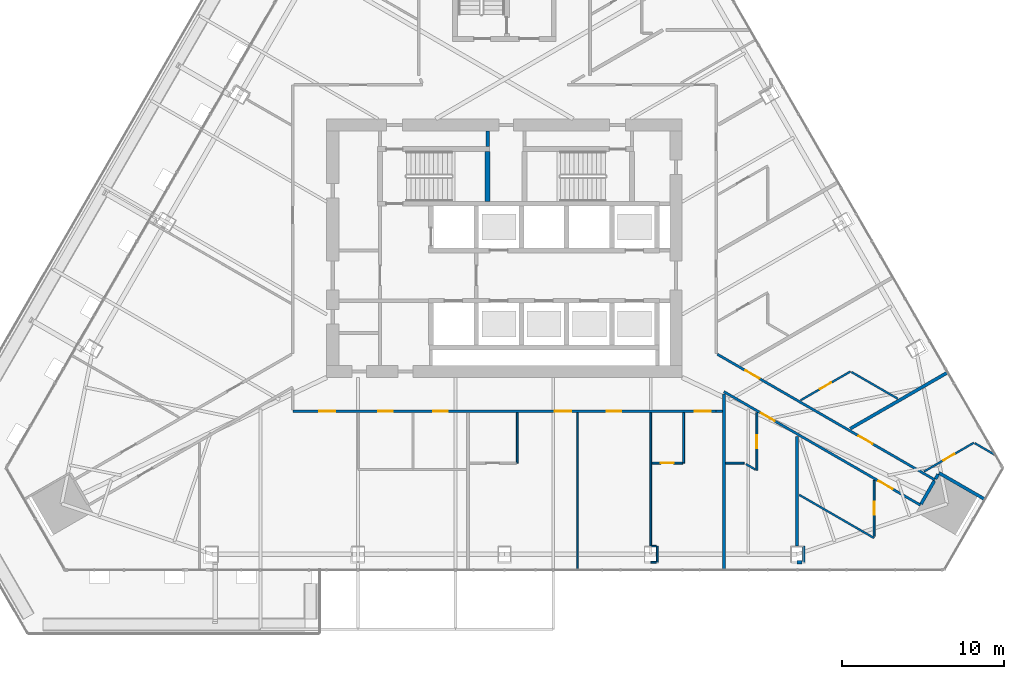
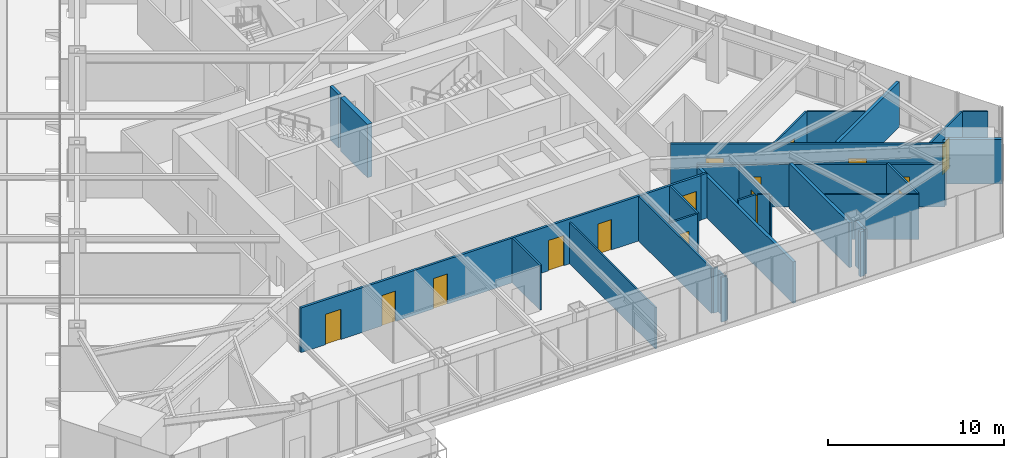
# One storey, part 27 of 35: 31 walls, 15 doors, 15 openings.
"""IFC4 building model written with IfcOpenShell, lengths in metres."""

from ifc_helpers import new_model, si_unit, direction, frame, frame_2d, origin, place, context, subcontext, project, spatial, rectangle, extrude, material, layer, layer_set, type_object, element, fill, save


model = new_model("IFC4")

# Units and contexts
model_context = context("Model", 3, precision=1e-05, world=origin(), true_north=direction((0.0, 1.0)))
body_context = subcontext(model_context, "Body", "Model", "MODEL_VIEW")
ifc_project = project(units=[si_unit("LENGTHUNIT", "METRE"), si_unit("AREAUNIT", "SQUARE_METRE"), si_unit("VOLUMEUNIT", "CUBIC_METRE"), si_unit("PLANEANGLEUNIT", "RADIAN"), si_unit("MASSUNIT", "GRAM", prefix="KILO")], contexts=[model_context])

# Site, building, storey
site_placement = place(None, origin())
site = spatial("IfcSite", under=ifc_project, at=site_placement, CompositionType="ELEMENT")
building_placement = place(site_placement, origin())
building = spatial("IfcBuilding", under=site, at=building_placement, Name="Firuza Gate Tower and Library", CompositionType="ELEMENT")
storey_placement = place(building_placement, frame((0.0, 0.0, 159.699951171875)))
storey = spatial("IfcBuildingStorey", under=building, at=storey_placement, Name="L36", CompositionType="ELEMENT", Elevation=159.699951171875)

# Walls
ifc_material_1 = material(Name="Plasterboard on steel studs", Category="steel")
ifc_layer_1 = layer(ifc_material_1, 0.199951171875)
ifc_layer_set_1 = layer_set([ifc_layer_1], Name="Core partition 200 EI 60")
wall_type_1 = type_object("IfcWallType", Name="Core partition 200 EI 60", PredefinedType="PARTITIONING", material=ifc_layer_set_1)
wall_1_placement = place(storey_placement, frame((73.9599609375, 81.280029296875, 0.0), z_axis=(0.0, 0.0, 1.0), x_axis=(0.0, 1.0, 0.0)))
element("IfcWall", 1, at=wall_1_placement, inside=storey, type_object=wall_type_1, Name="Core partition L36 12", PredefinedType="PARTITIONING", context=body_context, shape_type="SweptSolid", body=[
    extrude(rectangle(XDim=0.969970703125, YDim=0.199951171875, at=frame_2d((0.48486328125, 0.0))), origin(), (0.0, 0.0, 1.0), 3.699951171875),
])
ifc_material_2 = material(Name="Concrete C80/95", Category="concrete")
ifc_layer_2 = layer(ifc_material_2, 0.300048828125)
ifc_layer_set_2 = layer_set([ifc_layer_2], Name="Core wall 300 C80/95")
wall_type_2 = type_object("IfcWallType", Name="Core wall 300 C80/95", PredefinedType="SHEAR", material=ifc_layer_set_2)
wall_2_placement = place(storey_placement, frame((73.9599609375, 77.89990234375, 0.0), z_axis=(0.0, 0.0, 1.0), x_axis=(0.0, 1.0, 0.0)))
element("IfcWall", 2, at=wall_2_placement, inside=storey, type_object=wall_type_2, Name="Core wall L36 24", PredefinedType="SHEAR", context=body_context, shape_type="SweptSolid", body=[
    extrude(rectangle(XDim=3.080078125, YDim=0.300048828125, at=frame_2d((1.5400390625, 0.0))), origin(), (0.0, 0.0, 1.0), 3.699951171875),
])

# Wall, openings, doors
ifc_material_3 = material(Name="Gypsum board partition")
ifc_layer_3 = layer(ifc_material_3, 0.14990234375)
ifc_layer_set_3 = layer_set([ifc_layer_3], Name="Corridor wall 150 double board on steel studs")
wall_type_3 = type_object("IfcWallType", Name="Corridor wall 150 double board on steel studs", PredefinedType="PARTITIONING", material=ifc_layer_set_3)
wall_3_placement = place(storey_placement, frame((88.099609375, 64.89990234375, 0.0), z_axis=(0.0, 0.0, 1.0), x_axis=(-1.0, 0.0, 0.0)))
wall_3 = element("IfcWall", 3, at=wall_3_placement, inside=storey, type_object=wall_type_3, Name="f:L36:w007", PredefinedType="PARTITIONING", context=body_context, shape_type="SweptSolid", body=[
    extrude(rectangle(XDim=26.19921875, YDim=0.14990234375, at=frame_2d((13.099609375, 0.0))), origin(), (0.0, 0.0, 1.0), 3.10009765625),
])
opening_1_placement = place(wall_3_placement, frame((0.32177734375, 0.0, 0.0)))
opening_1 = element("IfcOpeningElement", 4, at=opening_1_placement, cuts=wall_3, Name="Opening L36-03", PredefinedType="OPENING", context=body_context, shape_type="SweptSolid", body=[
    extrude(rectangle(XDim=1.0, YDim=2.10009765625, at=frame_2d((0.5, 1.050048828125))), frame((0.0, 0.0849609375, 0.0), z_axis=(0.0, -1.0, 0.0), x_axis=(1.0, 0.0, 0.0)), (0.0, 0.0, 1.0), 0.169921875),
])
opening_2_placement = place(wall_3_placement, frame((5.859130859375, 0.0, 0.0)))
opening_2 = element("IfcOpeningElement", 5, at=opening_2_placement, cuts=wall_3, Name="Opening L36-04", PredefinedType="OPENING", context=body_context, shape_type="SweptSolid", body=[
    extrude(rectangle(XDim=0.89990234375, YDim=2.10009765625, at=frame_2d((0.449951171875, 1.050048828125))), frame((0.0, 0.0849609375, 0.0), z_axis=(0.0, -1.0, 0.0), x_axis=(1.0, 0.0, 0.0)), (0.0, 0.0, 1.0), 0.169921875),
])
opening_3_placement = place(wall_3_placement, frame((8.980712890625, 0.0, 0.0)))
opening_3 = element("IfcOpeningElement", 6, at=opening_3_placement, cuts=wall_3, Name="Opening L36-05", PredefinedType="OPENING", context=body_context, shape_type="SweptSolid", body=[
    extrude(rectangle(XDim=1.0, YDim=2.10009765625, at=frame_2d((0.5, 1.050048828125))), frame((0.0, 0.0849609375, 0.0), z_axis=(0.0, -1.0, 0.0), x_axis=(1.0, 0.0, 0.0)), (0.0, 0.0, 1.0), 0.169921875),
])
opening_4_placement = place(wall_3_placement, frame((16.610595703125, 0.0, 0.0)))
opening_4 = element("IfcOpeningElement", 7, at=opening_4_placement, cuts=wall_3, Name="Opening L36-06", PredefinedType="OPENING", context=body_context, shape_type="SweptSolid", body=[
    extrude(rectangle(XDim=0.89990234375, YDim=2.10009765625, at=frame_2d((0.449951171875, 1.050048828125))), frame((0.0, 0.0849609375, 0.0), z_axis=(0.0, -1.0, 0.0), x_axis=(1.0, 0.0, 0.0)), (0.0, 0.0, 1.0), 0.169921875),
])
opening_5_placement = place(wall_3_placement, frame((20.005859375, 0.0, 0.0)))
opening_5 = element("IfcOpeningElement", 8, at=opening_5_placement, cuts=wall_3, Name="Opening L36-07", PredefinedType="OPENING", context=body_context, shape_type="SweptSolid", body=[
    extrude(rectangle(XDim=0.89990234375, YDim=2.10009765625, at=frame_2d((0.449951171875, 1.050048828125))), frame((0.0, 0.0849609375, 0.0), z_axis=(0.0, -1.0, 0.0), x_axis=(1.0, 0.0, 0.0)), (0.0, 0.0, 1.0), 0.169921875),
])
opening_6_placement = place(wall_3_placement, frame((23.57470703125, 0.0, 0.0)))
opening_6 = element("IfcOpeningElement", 9, at=opening_6_placement, cuts=wall_3, Name="Opening L36-08", PredefinedType="OPENING", context=body_context, shape_type="SweptSolid", body=[
    extrude(rectangle(XDim=1.0, YDim=2.10009765625, at=frame_2d((0.5, 1.050048828125))), frame((0.0, 0.0849609375, 0.0), z_axis=(0.0, -1.0, 0.0), x_axis=(1.0, 0.0, 0.0)), (0.0, 0.0, 1.0), 0.169921875),
])
ifc_material_4 = material(Name="Steel door and timber leaf", Category="steel")
door_type_1 = type_object("IfcDoorType", Name="Fire door 1000 x 2100 steel frame, timber leaf", OperationType="NOTDEFINED", PredefinedType="DOOR", material=ifc_material_4)
door_1_placement = place(opening_1_placement, origin())
door_1 = element("IfcDoor", 10, at=door_1_placement, inside=storey, type_object=door_type_1, Name="f:L36:d003", OperationType="SINGLE_SWING_LEFT", OverallHeight=2.10009765625, OverallWidth=1.0, PredefinedType="DOOR", context=body_context, shape_type="SweptSolid", body=[
    extrude(rectangle(XDim=1.0, YDim=2.10009765625, at=frame_2d((0.5, 1.050048828125))), frame((0.0, 0.02490234375, 0.0), z_axis=(0.0, -1.0, 0.0), x_axis=(1.0, 0.0, 0.0)), (0.0, 0.0, 1.0), 0.050048828125),
])
fill(opening_1, door_1)
door_2_placement = place(opening_3_placement, origin())
door_2 = element("IfcDoor", 11, at=door_2_placement, inside=storey, type_object=door_type_1, Name="f:L36:d005", OperationType="SINGLE_SWING_RIGHT", OverallHeight=2.10009765625, OverallWidth=1.0, PredefinedType="DOOR", context=body_context, shape_type="SweptSolid", body=[
    extrude(rectangle(XDim=1.0, YDim=2.10009765625, at=frame_2d((0.5, 1.050048828125))), frame((0.0, 0.02490234375, 0.0), z_axis=(0.0, -1.0, 0.0), x_axis=(1.0, 0.0, 0.0)), (0.0, 0.0, 1.0), 0.050048828125),
])
fill(opening_3, door_2)
door_3_placement = place(opening_6_placement, origin())
door_3 = element("IfcDoor", 12, at=door_3_placement, inside=storey, type_object=door_type_1, Name="f:L36:d008", OperationType="SINGLE_SWING_LEFT", OverallHeight=2.10009765625, OverallWidth=1.0, PredefinedType="DOOR", context=body_context, shape_type="SweptSolid", body=[
    extrude(rectangle(XDim=1.0, YDim=2.10009765625, at=frame_2d((0.5, 1.050048828125))), frame((0.0, 0.02490234375, 0.0), z_axis=(0.0, -1.0, 0.0), x_axis=(1.0, 0.0, 0.0)), (0.0, 0.0, 1.0), 0.050048828125),
])
fill(opening_6, door_3)
ifc_material_5 = material(Name="Steel door and timber leaf", Category="steel")
door_type_2 = type_object("IfcDoorType", Name="Fire door 900 x 2100 steel frame, timber leaf", OperationType="NOTDEFINED", PredefinedType="DOOR", material=ifc_material_5)
door_4_placement = place(opening_2_placement, origin())
door_4 = element("IfcDoor", 13, at=door_4_placement, inside=storey, type_object=door_type_2, Name="f:L36:d004", OperationType="SINGLE_SWING_RIGHT", OverallHeight=2.10009765625, OverallWidth=0.89990234375, PredefinedType="DOOR", context=body_context, shape_type="SweptSolid", body=[
    extrude(rectangle(XDim=0.89990234375, YDim=2.10009765625, at=frame_2d((0.449951171875, 1.050048828125))), frame((0.0, 0.02490234375, 0.0), z_axis=(0.0, -1.0, 0.0), x_axis=(1.0, 0.0, 0.0)), (0.0, 0.0, 1.0), 0.050048828125),
])
fill(opening_2, door_4)
door_5_placement = place(opening_4_placement, origin())
door_5 = element("IfcDoor", 14, at=door_5_placement, inside=storey, type_object=door_type_2, Name="f:L36:d006", OperationType="SINGLE_SWING_LEFT", OverallHeight=2.10009765625, OverallWidth=0.89990234375, PredefinedType="DOOR", context=body_context, shape_type="SweptSolid", body=[
    extrude(rectangle(XDim=0.89990234375, YDim=2.10009765625, at=frame_2d((0.449951171875, 1.050048828125))), frame((0.0, 0.02490234375, 0.0), z_axis=(0.0, -1.0, 0.0), x_axis=(1.0, 0.0, 0.0)), (0.0, 0.0, 1.0), 0.050048828125),
])
fill(opening_4, door_5)
door_6_placement = place(opening_5_placement, origin())
door_6 = element("IfcDoor", 15, at=door_6_placement, inside=storey, type_object=door_type_2, Name="f:L36:d007", OperationType="SINGLE_SWING_RIGHT", OverallHeight=2.10009765625, OverallWidth=0.89990234375, PredefinedType="DOOR", context=body_context, shape_type="SweptSolid", body=[
    extrude(rectangle(XDim=0.89990234375, YDim=2.10009765625, at=frame_2d((0.449951171875, 1.050048828125))), frame((0.0, 0.02490234375, 0.0), z_axis=(0.0, -1.0, 0.0), x_axis=(1.0, 0.0, 0.0)), (0.0, 0.0, 1.0), 0.050048828125),
])
fill(opening_5, door_6)

# Wall
wall_4_placement = place(storey_placement, frame((88.10009765625, 64.9189453125, 0.0), z_axis=(0.0, 0.0, 1.0), x_axis=(1.0, 0.0, 0.0)))
element("IfcWall", 16, at=wall_4_placement, inside=storey, type_object=wall_type_3, Name="f:L36:w008", PredefinedType="PARTITIONING", context=body_context, shape_type="SweptSolid", body=[
    extrude(rectangle(XDim=0.380859375, YDim=0.14990234375, at=frame_2d((0.1904296875, 0.0))), origin(), (0.0, 0.0, 1.0), 3.10009765625),
])

# Wall, openings, doors
wall_5_placement = place(storey_placement, frame((88.175048828125, 68.4326171875, 0.0), z_axis=(0.0, 0.0, 1.0), x_axis=(0.866030530892, -0.499991119485, 0.0)))
wall_5 = element("IfcWall", 17, at=wall_5_placement, inside=storey, type_object=wall_type_3, Name="f:L36:w074", PredefinedType="PARTITIONING", context=body_context, shape_type="SweptSolid", body=[
    extrude(rectangle(XDim=15.548583984375, YDim=0.14990234375, at=frame_2d((7.7744140625, 0.0))), origin(), (0.0, 0.0, 1.0), 3.10009765625),
])
opening_7_placement = place(wall_5_placement, frame((2.0029296875, 0.0, 0.0)))
opening_7 = element("IfcOpeningElement", 18, at=opening_7_placement, cuts=wall_5, Name="Opening L36-31", PredefinedType="OPENING", context=body_context, shape_type="SweptSolid", body=[
    extrude(rectangle(XDim=1.0, YDim=2.10009765625, at=frame_2d((0.5, 1.050048828125))), frame((0.0, 0.0849609375, 0.0), z_axis=(0.0, -1.0, 0.0), x_axis=(1.0, 0.0, 0.0)), (0.0, 0.0, 1.0), 0.169921875),
])
opening_8_placement = place(wall_5_placement, frame((10.096435546875, 0.0, 0.0)))
opening_8 = element("IfcOpeningElement", 19, at=opening_8_placement, cuts=wall_5, Name="Opening L36-32", PredefinedType="OPENING", context=body_context, shape_type="SweptSolid", body=[
    extrude(rectangle(XDim=1.0, YDim=2.10009765625, at=frame_2d((0.5, 1.050048828125))), frame((0.0, 0.0849609375, 0.0), z_axis=(0.0, -1.0, 0.0), x_axis=(1.0, 0.0, 0.0)), (0.0, 0.0, 1.0), 0.169921875),
])
door_7_placement = place(opening_7_placement, origin())
door_7 = element("IfcDoor", 20, at=door_7_placement, inside=storey, type_object=door_type_1, Name="f:L36:d031", OperationType="SINGLE_SWING_LEFT", OverallHeight=2.10009765625, OverallWidth=1.0, PredefinedType="DOOR", context=body_context, shape_type="SweptSolid", body=[
    extrude(rectangle(XDim=1.0, YDim=2.10009765625, at=frame_2d((0.5, 1.050048828125))), frame((0.0, 0.02490234375, 0.0), z_axis=(0.0, -1.0, 0.0), x_axis=(1.0, 0.0, 0.0)), (0.0, 0.0, 1.0), 0.050048828125),
])
fill(opening_7, door_7)
door_8_placement = place(opening_8_placement, origin())
door_8 = element("IfcDoor", 21, at=door_8_placement, inside=storey, type_object=door_type_1, Name="f:L36:d032", OperationType="SINGLE_SWING_LEFT", OverallHeight=2.10009765625, OverallWidth=1.0, PredefinedType="DOOR", context=body_context, shape_type="SweptSolid", body=[
    extrude(rectangle(XDim=1.0, YDim=2.10009765625, at=frame_2d((0.5, 1.050048828125))), frame((0.0, 0.02490234375, 0.0), z_axis=(0.0, -1.0, 0.0), x_axis=(1.0, 0.0, 0.0)), (0.0, 0.0, 1.0), 0.050048828125),
])
fill(opening_8, door_8)

wall_6_placement = place(storey_placement, frame((100.740234375, 59.099853515625, 0.0), z_axis=(0.0, 0.0, 1.0), x_axis=(-0.866028060244, 0.499995398849, 0.0)))
wall_6 = element("IfcWall", 22, at=wall_6_placement, inside=storey, type_object=wall_type_3, Name="f:L36:w077", PredefinedType="PARTITIONING", context=body_context, shape_type="SweptSolid", body=[
    extrude(rectangle(XDim=14.040283203125, YDim=0.14990234375, at=frame_2d((7.02001953125, 0.0))), origin(), (0.0, 0.0, 1.0), 2.947021484375),
])
opening_9_placement = place(wall_6_placement, frame((1.994384765625, 0.0, 0.0)))
opening_9 = element("IfcOpeningElement", 23, at=opening_9_placement, cuts=wall_6, Name="Opening L36-33", PredefinedType="OPENING", context=body_context, shape_type="SweptSolid", body=[
    extrude(rectangle(XDim=1.0, YDim=2.10009765625, at=frame_2d((0.5, 1.050048828125))), frame((0.0, 0.0849609375, 0.0), z_axis=(0.0, -1.0, 0.0), x_axis=(1.0, 0.0, 0.0)), (0.0, 0.0, 1.0), 0.169921875),
])
opening_10_placement = place(wall_6_placement, frame((10.40869140625, 0.0, 0.0)))
opening_10 = element("IfcOpeningElement", 24, at=opening_10_placement, cuts=wall_6, Name="Opening L36-34", PredefinedType="OPENING", context=body_context, shape_type="SweptSolid", body=[
    extrude(rectangle(XDim=1.0, YDim=2.10009765625, at=frame_2d((0.5, 1.050048828125))), frame((0.0, 0.0849609375, 0.0), z_axis=(0.0, -1.0, 0.0), x_axis=(1.0, 0.0, 0.0)), (0.0, 0.0, 1.0), 0.169921875),
])
door_9_placement = place(opening_9_placement, origin())
door_9 = element("IfcDoor", 25, at=door_9_placement, inside=storey, type_object=door_type_1, Name="f:L36:d033", OperationType="SINGLE_SWING_RIGHT", OverallHeight=2.10009765625, OverallWidth=1.0, PredefinedType="DOOR", context=body_context, shape_type="SweptSolid", body=[
    extrude(rectangle(XDim=1.0, YDim=2.10009765625, at=frame_2d((0.5, 1.050048828125))), frame((0.0, 0.02490234375, 0.0), z_axis=(0.0, -1.0, 0.0), x_axis=(1.0, 0.0, 0.0)), (0.0, 0.0, 1.0), 0.050048828125),
])
fill(opening_9, door_9)
door_10_placement = place(opening_10_placement, origin())
door_10 = element("IfcDoor", 26, at=door_10_placement, inside=storey, type_object=door_type_1, Name="f:L36:d034", OperationType="SINGLE_SWING_RIGHT", OverallHeight=2.10009765625, OverallWidth=1.0, PredefinedType="DOOR", context=body_context, shape_type="SweptSolid", body=[
    extrude(rectangle(XDim=1.0, YDim=2.10009765625, at=frame_2d((0.5, 1.050048828125))), frame((0.0, 0.02490234375, 0.0), z_axis=(0.0, -1.0, 0.0), x_axis=(1.0, 0.0, 0.0)), (0.0, 0.0, 1.0), 0.050048828125),
])
fill(opening_10, door_10)

# Walls
ifc_material_6 = material(Name="Gypsum board partition")
ifc_layer_4 = layer(ifc_material_6, 0.199951171875)
ifc_layer_set_4 = layer_set([ifc_layer_4], Name="Demising wall 200 acoustic double stud")
wall_type_4 = type_object("IfcWallType", Name="Demising wall 200 acoustic double stud", PredefinedType="PARTITIONING", material=ifc_layer_set_4)
wall_7_placement = place(storey_placement, frame((93.10791015625, 55.56103515625, 0.0), z_axis=(0.0, 0.0, 1.0), x_axis=(1.0, 0.0, 0.0)))
element("IfcWall", 27, at=wall_7_placement, inside=storey, type_object=wall_type_4, Name="f:L36:w001", PredefinedType="PARTITIONING", context=body_context, shape_type="SweptSolid", body=[
    extrude(rectangle(XDim=0.299560546875, YDim=0.199951171875, at=frame_2d((0.14990234375, 0.0))), origin(), (0.0, 0.0, 1.0), 3.10009765625),
])
wall_8_placement = place(storey_placement, frame((96.398681640625, 63.8310546875, 0.0), z_axis=(0.0, 0.0, 1.0), x_axis=(0.86602358327, 0.50000315321, 0.0)))
element("IfcWall", 28, at=wall_8_placement, inside=storey, type_object=wall_type_4, Name="f:L36:w018", PredefinedType="PARTITIONING", context=body_context, shape_type="SweptSolid", body=[
    extrude(rectangle(XDim=6.95166015625, YDim=0.199951171875, at=frame_2d((3.475830078125, 0.0))), origin(), (0.0, 0.0, 1.0), 3.10009765625),
])
wall_9_placement = place(storey_placement, frame((100.778076171875, 59.1650390625, 0.0), z_axis=(0.0, 0.0, 1.0), x_axis=(0.500102515474, 0.865966208357, 0.0)))
element("IfcWall", 29, at=wall_9_placement, inside=storey, type_object=wall_type_4, Name="f:L36:w036", PredefinedType="PARTITIONING", context=body_context, shape_type="SweptSolid", body=[
    extrude(rectangle(XDim=1.649658203125, YDim=0.199951171875, at=frame_2d((0.82470703125, 0.0))), origin(), (0.0, 0.0, 1.0), 2.947021484375),
])
wall_10_placement = place(storey_placement, frame((93.508056640625, 55.5615234375, 0.0), z_axis=(0.0, 0.0, 1.0), x_axis=(0.0, 1.0, 0.0)))
element("IfcWall", 30, at=wall_10_placement, inside=storey, type_object=wall_type_4, Name="f:L36:w040", PredefinedType="PARTITIONING", context=body_context, shape_type="SweptSolid", body=[
    extrude(rectangle(XDim=0.9990234375, YDim=0.199951171875, at=frame_2d((0.49951171875, 0.0))), origin(), (0.0, 0.0, 1.0), 3.10009765625),
])
wall_11_placement = place(storey_placement, frame((93.10791015625, 56.56103515625, 0.0), z_axis=(0.0, 0.0, 1.0), x_axis=(0.0, 1.0, 0.0)))
element("IfcWall", 31, at=wall_11_placement, inside=storey, type_object=wall_type_4, Name="f:L36:w041", PredefinedType="PARTITIONING", context=body_context, shape_type="SweptSolid", body=[
    extrude(rectangle(XDim=6.798583984375, YDim=0.199951171875, at=frame_2d((3.3994140625, 0.0))), origin(), (0.0, 0.0, 1.0), 3.10009765625),
])
wall_12_placement = place(storey_placement, frame((88.5810546875, 55.10107421875, 0.0), z_axis=(0.0, 0.0, 1.0), x_axis=(0.0, 1.0, 0.0)))
element("IfcWall", 32, at=wall_12_placement, inside=storey, type_object=wall_type_4, Name="f:L36:w046", PredefinedType="PARTITIONING", context=body_context, shape_type="SweptSolid", body=[
    extrude(rectangle(XDim=10.8720703125, YDim=0.199951171875, at=frame_2d((5.43603515625, 0.0))), origin(), (0.0, 0.0, 1.0), 2.864990234375),
])
wall_13_placement = place(storey_placement, frame((104.7138671875, 59.46142578125, 0.0), z_axis=(0.0, 0.0, 1.0), x_axis=(-0.866035906198, 0.499981808845, 0.0)))
element("IfcWall", 33, at=wall_13_placement, inside=storey, type_object=wall_type_4, Name="f:L36:w073", PredefinedType="PARTITIONING", context=body_context, shape_type="SweptSolid", body=[
    extrude(rectangle(XDim=3.25927734375, YDim=0.199951171875, at=frame_2d((1.629638671875, 0.0))), origin(), (0.0, 0.0, 1.0), 3.10009765625),
])
wall_14_placement = place(storey_placement, frame((101.677978515625, 60.723388671875, 0.0), z_axis=(0.0, 0.0, 1.0), x_axis=(0.499700736801, 0.866198114545, 0.0)))
element("IfcWall", 34, at=wall_14_placement, inside=storey, type_object=wall_type_4, Name="f:L36:w085", PredefinedType="PARTITIONING", context=body_context, shape_type="SweptSolid", body=[
    extrude(rectangle(XDim=0.324462890625, YDim=0.199951171875, at=frame_2d((0.162109375, 0.0))), origin(), (0.0, 0.0, 1.0), 3.10009765625),
])
ifc_material_7 = material(Name="Gypsum board partition")
ifc_layer_5 = layer(ifc_material_7, 0.10009765625)
ifc_layer_set_5 = layer_set([ifc_layer_5], Name="Partition 100 gypsum board on steel studs")
wall_type_5 = type_object("IfcWallType", Name="Partition 100 gypsum board on steel studs", PredefinedType="PARTITIONING", material=ifc_layer_set_5)
wall_15_placement = place(storey_placement, frame((84.053955078125, 55.56103515625, 0.0), z_axis=(0.0, 0.0, 1.0), x_axis=(1.0, 0.0, 0.0)))
element("IfcWall", 35, at=wall_15_placement, inside=storey, type_object=wall_type_5, Name="f:L36:w000", PredefinedType="PARTITIONING", context=body_context, shape_type="SweptSolid", body=[
    extrude(rectangle(XDim=0.349609375, YDim=0.10009765625, at=frame_2d((0.1748046875, 0.0))), origin(), (0.0, 0.0, 1.0), 3.10009765625),
])
wall_16_placement = place(storey_placement, frame((84.114013671875, 56.56103515625, 0.0), z_axis=(0.0, 0.0, 1.0), x_axis=(1.0, 0.0, 0.0)))
element("IfcWall", 36, at=wall_16_placement, inside=storey, type_object=wall_type_5, Name="f:L36:w002", PredefinedType="PARTITIONING", context=body_context, shape_type="SweptSolid", body=[
    extrude(rectangle(XDim=0.28955078125, YDim=0.10009765625, at=frame_2d((0.144775390625, 0.0))), origin(), (0.0, 0.0, 1.0), 3.10009765625),
])
wall_17_placement = place(storey_placement, frame((84.4541015625, 55.5615234375, 0.0), z_axis=(0.0, 0.0, 1.0), x_axis=(0.0, 1.0, 0.0)))
element("IfcWall", 37, at=wall_17_placement, inside=storey, type_object=wall_type_5, Name="f:L36:w049", PredefinedType="PARTITIONING", context=body_context, shape_type="SweptSolid", body=[
    extrude(rectangle(XDim=0.9990234375, YDim=0.10009765625, at=frame_2d((0.49951171875, 0.0))), origin(), (0.0, 0.0, 1.0), 2.864990234375),
])
wall_18_placement = place(storey_placement, frame((79.527099609375, 55.10107421875, 0.0), z_axis=(0.0, 0.0, 1.0), x_axis=(0.0, 1.0, 0.0)))
element("IfcWall", 38, at=wall_18_placement, inside=storey, type_object=wall_type_5, Name="f:L36:w054", PredefinedType="PARTITIONING", context=body_context, shape_type="SweptSolid", body=[
    extrude(rectangle(XDim=9.723876953125, YDim=0.10009765625, at=frame_2d((4.86181640625, 0.0))), origin(), (0.0, 0.0, 1.0), 2.864990234375),
])

# Wall, opening, door
ifc_material_8 = material(Name="Gypsum board partition")
ifc_layer_6 = layer(ifc_material_8, 0.1201171875)
ifc_layer_set_6 = layer_set([ifc_layer_6], Name="Wet-area partition 120 moisture-resistant board")
wall_type_6 = type_object("IfcWallType", Name="Wet-area partition 120 moisture-resistant board", PredefinedType="PARTITIONING", material=ifc_layer_set_6)
wall_19_placement = place(storey_placement, frame((84.1240234375, 61.699951171875, 0.0), z_axis=(0.0, 0.0, 1.0), x_axis=(1.0, 0.0, 0.0)))
wall_19 = element("IfcWall", 39, at=wall_19_placement, inside=storey, type_object=wall_type_6, Name="f:L36:w005", PredefinedType="PARTITIONING", context=body_context, shape_type="SweptSolid", body=[
    extrude(rectangle(XDim=1.897216796875, YDim=0.1201171875, at=frame_2d((0.94873046875, 0.0))), origin(), (0.0, 0.0, 1.0), 3.10009765625),
])
opening_11_placement = place(wall_19_placement, frame((0.548583984375, 0.0, 0.0)))
opening_11 = element("IfcOpeningElement", 40, at=opening_11_placement, cuts=wall_19, Name="Opening L36-02", PredefinedType="OPENING", context=body_context, shape_type="SweptSolid", body=[
    extrude(rectangle(XDim=0.800048828125, YDim=2.10009765625, at=frame_2d((0.39990234375, 1.050048828125))), frame((0.0, 0.070068359375, 0.0), z_axis=(0.0, -1.0, 0.0), x_axis=(1.0, 0.0, 0.0)), (0.0, 0.0, 1.0), 0.14013671875),
])
ifc_material_9 = material(Name="Timber door", Category="wood")
door_type_3 = type_object("IfcDoorType", Name="Door 800 x 2100 timber leaf", OperationType="NOTDEFINED", PredefinedType="DOOR", material=ifc_material_9)
door_11_placement = place(opening_11_placement, origin())
door_11 = element("IfcDoor", 41, at=door_11_placement, inside=storey, type_object=door_type_3, Name="f:L36:d002", OperationType="SINGLE_SWING_LEFT", OverallHeight=2.10009765625, OverallWidth=0.800048828125, PredefinedType="DOOR", context=body_context, shape_type="SweptSolid", body=[
    extrude(rectangle(XDim=0.800048828125, YDim=2.10009765625, at=frame_2d((0.39990234375, 1.050048828125))), frame((0.0, 0.02490234375, 0.0), z_axis=(0.0, -1.0, 0.0), x_axis=(1.0, 0.0, 0.0)), (0.0, 0.0, 1.0), 0.050048828125),
])
fill(opening_11, door_11)

# Wall
wall_20_placement = place(storey_placement, frame((88.69091796875, 61.699951171875, 0.0), z_axis=(0.0, 0.0, 1.0), x_axis=(1.0, 0.0, 0.0)))
element("IfcWall", 42, at=wall_20_placement, inside=storey, type_object=wall_type_6, Name="f:L36:w006", PredefinedType="PARTITIONING", context=body_context, shape_type="SweptSolid", body=[
    extrude(rectangle(XDim=1.145263671875, YDim=0.1201171875, at=frame_2d((0.57275390625, 0.0))), origin(), (0.0, 0.0, 1.0), 3.10009765625),
])

# Wall, opening, door
wall_21_placement = place(storey_placement, frame((104.05322265625, 62.960693359375, 0.0), z_axis=(0.0, 0.0, 1.0), x_axis=(-0.866045460162, -0.499965259726, 0.0)))
wall_21 = element("IfcWall", 43, at=wall_21_placement, inside=storey, type_object=wall_type_6, Name="f:L36:w017", PredefinedType="PARTITIONING", context=body_context, shape_type="SweptSolid", body=[
    extrude(rectangle(XDim=3.568603515625, YDim=0.1201171875, at=frame_2d((1.7841796875, 0.0))), origin(), (0.0, 0.0, 1.0), 3.10009765625),
])
opening_12_placement = place(wall_21_placement, frame((1.38427734375, 0.0, 0.0)))
opening_12 = element("IfcOpeningElement", 44, at=opening_12_placement, cuts=wall_21, Name="Opening L36-14", PredefinedType="OPENING", context=body_context, shape_type="SweptSolid", body=[
    extrude(rectangle(XDim=0.800048828125, YDim=2.10009765625, at=frame_2d((0.39990234375, 1.050048828125))), frame((0.0, 0.070068359375, 0.0), z_axis=(0.0, -1.0, 0.0), x_axis=(1.0, 0.0, 0.0)), (0.0, 0.0, 1.0), 0.14013671875),
])
door_12_placement = place(opening_12_placement, origin())
door_12 = element("IfcDoor", 45, at=door_12_placement, inside=storey, type_object=door_type_3, Name="f:L36:d014", OperationType="SINGLE_SWING_RIGHT", OverallHeight=2.10009765625, OverallWidth=0.800048828125, PredefinedType="DOOR", context=body_context, shape_type="SweptSolid", body=[
    extrude(rectangle(XDim=0.800048828125, YDim=2.10009765625, at=frame_2d((0.39990234375, 1.050048828125))), frame((0.0, 0.02490234375, 0.0), z_axis=(0.0, -1.0, 0.0), x_axis=(1.0, 0.0, 0.0)), (0.0, 0.0, 1.0), 0.050048828125),
])
fill(opening_12, door_12)

wall_22_placement = place(storey_placement, frame((96.415771484375, 67.36962890625, 0.0), z_axis=(0.0, 0.0, 1.0), x_axis=(-0.866028357664, -0.499994883695, 0.0)))
wall_22 = element("IfcWall", 46, at=wall_22_placement, inside=storey, type_object=wall_type_6, Name="f:L36:w019", PredefinedType="PARTITIONING", context=body_context, shape_type="SweptSolid", body=[
    extrude(rectangle(XDim=3.568359375, YDim=0.1201171875, at=frame_2d((1.7841796875, 0.0))), origin(), (0.0, 0.0, 1.0), 3.10009765625),
])
opening_13_placement = place(wall_22_placement, frame((1.38427734375, 0.0, 0.0)))
opening_13 = element("IfcOpeningElement", 47, at=opening_13_placement, cuts=wall_22, Name="Opening L36-15", PredefinedType="OPENING", context=body_context, shape_type="SweptSolid", body=[
    extrude(rectangle(XDim=0.800048828125, YDim=2.10009765625, at=frame_2d((0.39990234375, 1.050048828125))), frame((0.0, 0.070068359375, 0.0), z_axis=(0.0, -1.0, 0.0), x_axis=(1.0, 0.0, 0.0)), (0.0, 0.0, 1.0), 0.14013671875),
])
door_13_placement = place(opening_13_placement, origin())
door_13 = element("IfcDoor", 48, at=door_13_placement, inside=storey, type_object=door_type_3, Name="f:L36:d015", OperationType="SINGLE_SWING_RIGHT", OverallHeight=2.10009765625, OverallWidth=0.800048828125, PredefinedType="DOOR", context=body_context, shape_type="SweptSolid", body=[
    extrude(rectangle(XDim=0.800048828125, YDim=2.10009765625, at=frame_2d((0.39990234375, 1.050048828125))), frame((0.0, 0.02490234375, 0.0), z_axis=(0.0, -1.0, 0.0), x_axis=(1.0, 0.0, 0.0)), (0.0, 0.0, 1.0), 0.050048828125),
])
fill(opening_13, door_13)

wall_23_placement = place(storey_placement, frame((97.875, 57.16796875, 0.0), z_axis=(0.0, 0.0, 1.0), x_axis=(0.0, 1.0, 0.0)))
wall_23 = element("IfcWall", 49, at=wall_23_placement, inside=storey, type_object=wall_type_6, Name="f:L36:w039", PredefinedType="PARTITIONING", context=body_context, shape_type="SweptSolid", body=[
    extrude(rectangle(XDim=3.459228515625, YDim=0.1201171875, at=frame_2d((1.7294921875, 0.0))), origin(), (0.0, 0.0, 1.0), 3.10009765625),
])
opening_14_placement = place(wall_23_placement, frame((1.32958984375, 0.0, 0.0)))
opening_14 = element("IfcOpeningElement", 50, at=opening_14_placement, cuts=wall_23, Name="Opening L36-23", PredefinedType="OPENING", context=body_context, shape_type="SweptSolid", body=[
    extrude(rectangle(XDim=0.800048828125, YDim=2.10009765625, at=frame_2d((0.39990234375, 1.050048828125))), frame((0.0, 0.070068359375, 0.0), z_axis=(0.0, -1.0, 0.0), x_axis=(1.0, 0.0, 0.0)), (0.0, 0.0, 1.0), 0.14013671875),
])
door_14_placement = place(opening_14_placement, origin())
door_14 = element("IfcDoor", 51, at=door_14_placement, inside=storey, type_object=door_type_3, Name="f:L36:d023", OperationType="SINGLE_SWING_LEFT", OverallHeight=2.10009765625, OverallWidth=0.800048828125, PredefinedType="DOOR", context=body_context, shape_type="SweptSolid", body=[
    extrude(rectangle(XDim=0.800048828125, YDim=2.10009765625, at=frame_2d((0.39990234375, 1.050048828125))), frame((0.0, 0.02490234375, 0.0), z_axis=(0.0, -1.0, 0.0), x_axis=(1.0, 0.0, 0.0)), (0.0, 0.0, 1.0), 0.050048828125),
])
fill(opening_14, door_14)

wall_24_placement = place(storey_placement, frame((90.617919921875, 61.24853515625, 0.0), z_axis=(0.0, 0.0, 1.0), x_axis=(0.0, 1.0, 0.0)))
wall_24 = element("IfcWall", 52, at=wall_24_placement, inside=storey, type_object=wall_type_6, Name="f:L36:w045", PredefinedType="PARTITIONING", context=body_context, shape_type="SweptSolid", body=[
    extrude(rectangle(XDim=3.568603515625, YDim=0.1201171875, at=frame_2d((1.7841796875, 0.0))), origin(), (0.0, 0.0, 1.0), 2.947021484375),
])
opening_15_placement = place(wall_24_placement, frame((1.38427734375, 0.0, 0.0)))
opening_15 = element("IfcOpeningElement", 53, at=opening_15_placement, cuts=wall_24, Name="Opening L36-24", PredefinedType="OPENING", context=body_context, shape_type="SweptSolid", body=[
    extrude(rectangle(XDim=0.800048828125, YDim=2.10009765625, at=frame_2d((0.39990234375, 1.050048828125))), frame((0.0, 0.070068359375, 0.0), z_axis=(0.0, -1.0, 0.0), x_axis=(1.0, 0.0, 0.0)), (0.0, 0.0, 1.0), 0.14013671875),
])
door_15_placement = place(opening_15_placement, origin())
door_15 = element("IfcDoor", 54, at=door_15_placement, inside=storey, type_object=door_type_3, Name="f:L36:d024", OperationType="SINGLE_SWING_LEFT", OverallHeight=2.10009765625, OverallWidth=0.800048828125, PredefinedType="DOOR", context=body_context, shape_type="SweptSolid", body=[
    extrude(rectangle(XDim=0.800048828125, YDim=2.10009765625, at=frame_2d((0.39990234375, 1.050048828125))), frame((0.0, 0.02490234375, 0.0), z_axis=(0.0, -1.0, 0.0), x_axis=(1.0, 0.0, 0.0)), (0.0, 0.0, 1.0), 0.050048828125),
])
fill(opening_15, door_15)

# Walls
wall_25_placement = place(storey_placement, frame((86.091064453125, 61.699951171875, 0.0), z_axis=(0.0, 0.0, 1.0), x_axis=(0.0, 1.0, 0.0)))
element("IfcWall", 55, at=wall_25_placement, inside=storey, type_object=wall_type_6, Name="f:L36:w048", PredefinedType="PARTITIONING", context=body_context, shape_type="SweptSolid", body=[
    extrude(rectangle(XDim=3.125, YDim=0.1201171875, at=frame_2d((1.5625, 0.0))), origin(), (0.0, 0.0, 1.0), 3.10009765625),
])
wall_26_placement = place(storey_placement, frame((84.053955078125, 56.56103515625, 0.0), z_axis=(0.0, 0.0, 1.0), x_axis=(0.0, 1.0, 0.0)))
element("IfcWall", 56, at=wall_26_placement, inside=storey, type_object=wall_type_6, Name="f:L36:w050", PredefinedType="PARTITIONING", context=body_context, shape_type="SweptSolid", body=[
    extrude(rectangle(XDim=8.263916015625, YDim=0.1201171875, at=frame_2d((4.1318359375, 0.0))), origin(), (0.0, 0.0, 1.0), 3.10009765625),
])
wall_27_placement = place(storey_placement, frame((75.7919921875, 61.699951171875, 0.0), z_axis=(0.0, 0.0, 1.0), x_axis=(0.0, 1.0, 0.0)))
element("IfcWall", 57, at=wall_27_placement, inside=storey, type_object=wall_type_6, Name="f:L36:w057", PredefinedType="PARTITIONING", context=body_context, shape_type="SweptSolid", body=[
    extrude(rectangle(XDim=3.125, YDim=0.1201171875, at=frame_2d((1.5625, 0.0))), origin(), (0.0, 0.0, 1.0), 3.10009765625),
])
wall_28_placement = place(storey_placement, frame((105.36572265625, 62.20263671875, 0.0), z_axis=(0.0, 0.0, 1.0), x_axis=(-0.866011286779, 0.500024450573, 0.0)))
element("IfcWall", 58, at=wall_28_placement, inside=storey, type_object=wall_type_6, Name="f:L36:w070", PredefinedType="PARTITIONING", context=body_context, shape_type="SweptSolid", body=[
    extrude(rectangle(XDim=1.4462890625, YDim=0.1201171875, at=frame_2d((0.72314453125, 0.0))), origin(), (0.0, 0.0, 1.0), 3.10009765625),
])
wall_29_placement = place(storey_placement, frame((99.3369140625, 65.68359375, 0.0), z_axis=(0.0, 0.0, 1.0), x_axis=(-0.866024373554, 0.500001784407, 0.0)))
element("IfcWall", 59, at=wall_29_placement, inside=storey, type_object=wall_type_6, Name="f:L36:w071", PredefinedType="PARTITIONING", context=body_context, shape_type="SweptSolid", body=[
    extrude(rectangle(XDim=3.3037109375, YDim=0.1201171875, at=frame_2d((1.65185546875, 0.0))), origin(), (0.0, 0.0, 1.0), 3.10009765625),
])
wall_30_placement = place(storey_placement, frame((97.87548828125, 57.058837890625, 0.0), z_axis=(0.0, 0.0, 1.0), x_axis=(-0.866041187555, 0.499972660711, 0.0)))
element("IfcWall", 60, at=wall_30_placement, inside=storey, type_object=wall_type_6, Name="f:L36:w078", PredefinedType="PARTITIONING", context=body_context, shape_type="SweptSolid", body=[
    extrude(rectangle(XDim=5.349365234375, YDim=0.1201171875, at=frame_2d((2.6748046875, 0.0))), origin(), (0.0, 0.0, 1.0), 3.10009765625),
])
wall_31_placement = place(storey_placement, frame((90.5234375, 61.30322265625, 0.0), z_axis=(0.0, 0.0, 1.0), x_axis=(-0.865913915833, 0.500193053097, 0.0)))
element("IfcWall", 61, at=wall_31_placement, inside=storey, type_object=wall_type_6, Name="f:L36:w079", PredefinedType="PARTITIONING", context=body_context, shape_type="SweptSolid", body=[
    extrude(rectangle(XDim=0.673583984375, YDim=0.1201171875, at=frame_2d((0.3369140625, 0.0))), origin(), (0.0, 0.0, 1.0), 3.10009765625),
])

save(model, "model.ifc")
